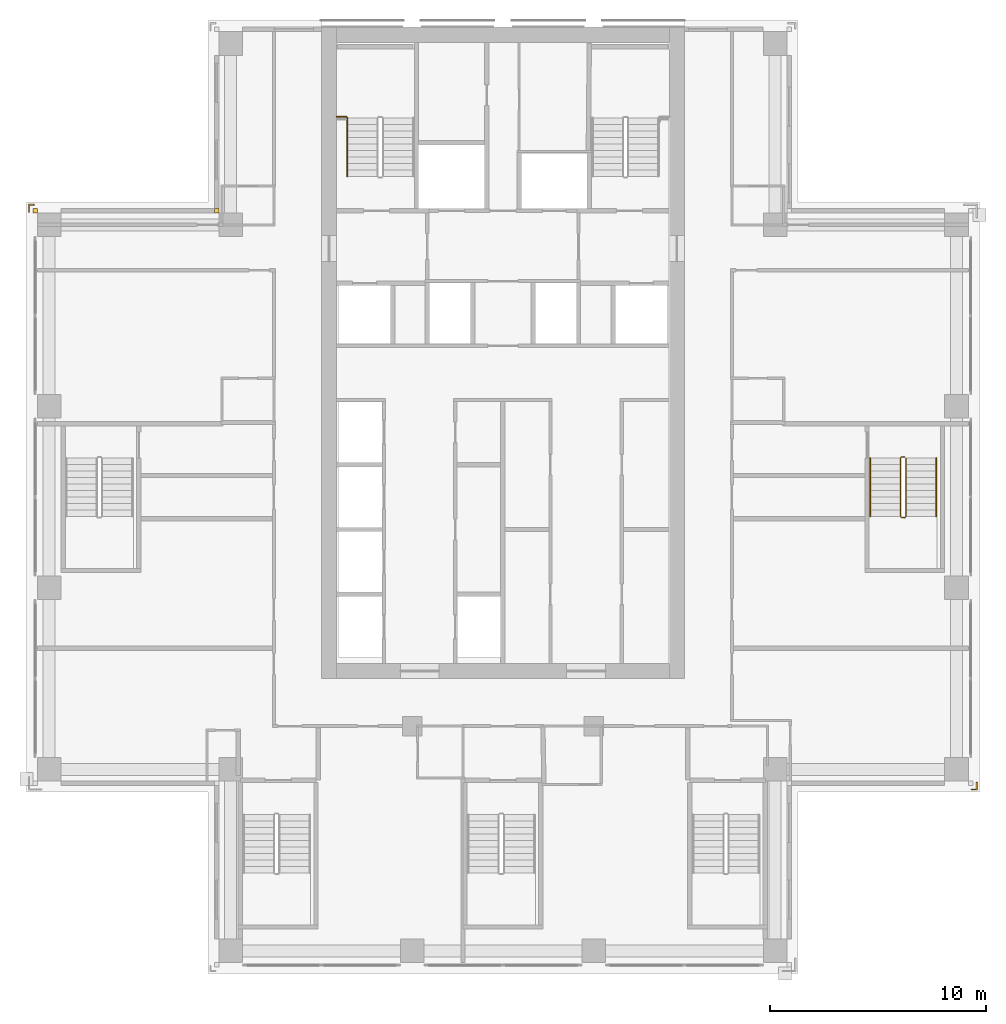
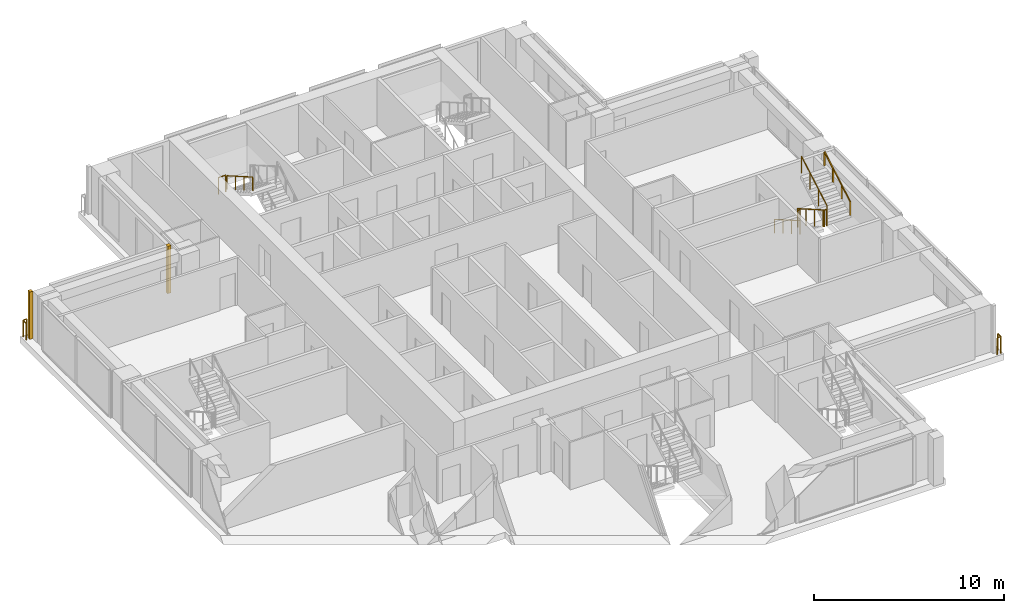
# One storey, part 15 of 16: 7 railings, 2 coverings.
"""IFC4 building model written with IfcOpenShell, lengths in metres."""

from ifc_helpers import new_model, si_unit, direction, frame, origin, origin_2d, place, context, subcontext, project, spatial, polyline, rectangle, outline, extrude, material, type_object, element, save


model = new_model("IFC4")

# Units and contexts
model_context = context("Model", 3, precision=1e-05, world=origin(), true_north=direction((0.0, 1.0)))
body_context = subcontext(model_context, "Body", "Model", "MODEL_VIEW")
ifc_project = project(units=[si_unit("LENGTHUNIT", "METRE"), si_unit("AREAUNIT", "SQUARE_METRE"), si_unit("VOLUMEUNIT", "CUBIC_METRE"), si_unit("PLANEANGLEUNIT", "RADIAN"), si_unit("MASSUNIT", "GRAM", prefix="KILO")], contexts=[model_context])

# Site, building, storey
site_placement = place(None, origin())
site = spatial("IfcSite", under=ifc_project, at=site_placement, CompositionType="ELEMENT")
building_placement = place(site_placement, origin())
building = spatial("IfcBuilding", under=site, at=building_placement, Name="Vermilion Ogive Tower", CompositionType="ELEMENT")
storey_placement = place(building_placement, frame((0.0, 0.0, 136.550048828125)))
storey = spatial("IfcBuildingStorey", under=building, at=storey_placement, Name="L34", CompositionType="ELEMENT", Elevation=136.550048828125)

# Railings
ifc_material_1 = material(Name="Stainless steel", Category="steel")
railing_type_1 = type_object("IfcRailingType", Name="Slab edge guard SG1", PredefinedType="GUARDRAIL", material=ifc_material_1)
railing_1_placement = place(storey_placement, frame((-21.929931640625, 13.199951171875, 0.0)))
element("IfcRailing", 1, at=railing_1_placement, inside=storey, type_object=railing_type_1, Name="L34 slab corner guard", PredefinedType="GUARDRAIL", context=body_context, shape_type="SweptSolid", body=[
    extrude(rectangle(XDim=0.050048828125, YDim=0.050048828125, at=origin_2d()), frame((0.0, 0.0, 1.0751953125), z_axis=(0.0, 1.0, 0.0), x_axis=(-1.0, 0.0, 0.0)), (0.0, 0.0, 1.0), 0.330078125),
    extrude(rectangle(XDim=0.050048828125, YDim=0.050048828125, at=origin_2d()), frame((0.0, 0.330078125, 1.0751953125), z_axis=(1.0, 0.0, 0.0), x_axis=(0.0, 1.0, 0.0)), (0.0, 0.0, 1.0), 0.22998046875),
    extrude(rectangle(XDim=0.050048828125, YDim=0.050048828125, at=origin_2d()), origin(), (0.0, 0.0, 1.0), 1.050048828125),
    extrude(rectangle(XDim=0.050048828125, YDim=0.050048828125, at=origin_2d()), frame((0.0, 0.330078125, 0.0)), (0.0, 0.0, 1.0), 1.050048828125),
    extrude(rectangle(XDim=0.050048828125, YDim=0.050048828125, at=origin_2d()), frame((0.22998046875, 0.330078125, 0.0)), (0.0, 0.0, 1.0), 1.050048828125),
])
railing_2_placement = place(storey_placement, frame((21.929931640625, -13.199951171875, 0.0)))
element("IfcRailing", 2, at=railing_2_placement, inside=storey, type_object=railing_type_1, Name="L34 slab corner guard", PredefinedType="GUARDRAIL", context=body_context, shape_type="SweptSolid", body=[
    extrude(rectangle(XDim=0.050048828125, YDim=0.050048828125, at=origin_2d()), frame((0.0, 0.0, 1.0751953125), z_axis=(0.0, -1.0, 0.0), x_axis=(1.0, 0.0, 0.0)), (0.0, 0.0, 1.0), 0.330078125),
    extrude(rectangle(XDim=0.050048828125, YDim=0.050048828125, at=origin_2d()), frame((0.0, -0.330078125, 1.0751953125), z_axis=(-1.0, 0.0, 0.0), x_axis=(0.0, -1.0, 0.0)), (0.0, 0.0, 1.0), 0.22998046875),
    extrude(rectangle(XDim=0.050048828125, YDim=0.050048828125, at=origin_2d()), origin(), (0.0, 0.0, 1.0), 1.050048828125),
    extrude(rectangle(XDim=0.050048828125, YDim=0.050048828125, at=origin_2d()), frame((0.0, -0.330078125, 0.0)), (0.0, 0.0, 1.0), 1.050048828125),
    extrude(rectangle(XDim=0.050048828125, YDim=0.050048828125, at=origin_2d()), frame((-0.22998046875, -0.330078125, 0.0)), (0.0, 0.0, 1.0), 1.050048828125),
])
ifc_material_2 = material(Name="Steel S355 painted", Category="steel")
railing_type_2 = type_object("IfcRailingType", Name="Stair guard 1100", PredefinedType="GUARDRAIL", material=ifc_material_2)
railing_3_placement = place(storey_placement, frame((18.60009765625, 1.85009765625, 0.0)))
element("IfcRailing", 3, at=railing_3_placement, inside=storey, type_object=railing_type_2, Name="L34 ST8 stair guard 4", PredefinedType="GUARDRAIL", context=body_context, shape_type="SweptSolid", body=[
    extrude(rectangle(XDim=0.048095703125, YDim=0.048095703125, at=origin_2d()), frame((0.0, 0.0, 1.076171875), z_axis=(-1.0, 0.0, 0.0), x_axis=(0.0, -1.0, 0.0)), (0.0, 0.0, 1.0), 0.150146484375),
    extrude(rectangle(XDim=0.048095703125, YDim=0.048095703125, at=origin_2d()), frame((-0.150146484375, 0.0, 1.076171875), z_axis=(-0.268603158521, -0.268603158521, 0.925043072762), x_axis=(0.707106781187, -0.707106781187, 0.0)), (0.0, 0.0, 1.0), 0.186279296875),
    extrude(rectangle(XDim=0.048095703125, YDim=0.048095703125, at=origin_2d()), frame((-0.2001953125, -0.050048828125, 1.24853515625), z_axis=(0.0, -0.866903762492, 0.498475542607), x_axis=(1.0, 0.0, 0.0)), (0.0, 0.0, 1.0), 3.114501953125),
    extrude(rectangle(XDim=0.048095703125, YDim=0.048095703125, at=origin_2d()), frame((-0.2001953125, -2.75, 2.80078125), z_axis=(0.707106781187, -0.707106781187, 0.0), x_axis=(0.707106781187, 0.707106781187, 0.0)), (0.0, 0.0, 1.0), 0.07080078125),
    extrude(rectangle(XDim=0.048095703125, YDim=0.048095703125, at=origin_2d()), frame((-0.150146484375, -2.800048828125, 2.80078125), z_axis=(1.0, 0.0, 0.0), x_axis=(0.0, 1.0, 0.0)), (0.0, 0.0, 1.0), 0.150146484375),
    extrude(rectangle(XDim=0.048095703125, YDim=0.048095703125, at=origin_2d()), frame((0.0, -2.800048828125, 2.80078125), z_axis=(0.267062837333, 0.268371968888, 0.925556009775), x_axis=(-0.708833529934, 0.705375805398, 0.0)), (0.0, 0.0, 1.0), 0.1865234375),
    extrude(rectangle(XDim=0.048095703125, YDim=0.048095703125, at=origin_2d()), frame((0.0498046875, -2.75, 2.9736328125), z_axis=(0.0, 0.866903762492, 0.498475542607), x_axis=(-1.0, 0.0, 0.0)), (0.0, 0.0, 1.0), 3.114501953125),
    extrude(rectangle(XDim=0.0419921875, YDim=0.0419921875, at=origin_2d()), origin(), (0.0, 0.0, 1.0), 1.052001953125),
    extrude(rectangle(XDim=0.0419921875, YDim=0.0419921875, at=origin_2d()), frame((-0.150146484375, 0.0, 0.0)), (0.0, 0.0, 1.0), 1.052001953125),
    extrude(rectangle(XDim=0.0419921875, YDim=0.0419921875, at=origin_2d()), frame((-0.2001953125, -0.050048828125, 0.17236328125)), (0.0, 0.0, 1.0), 1.052001953125),
    extrude(rectangle(XDim=0.0419921875, YDim=0.0419921875, at=origin_2d()), frame((-0.2001953125, -0.949951171875, 0.68994140625)), (0.0, 0.0, 1.0), 1.052001953125),
    extrude(rectangle(XDim=0.0419921875, YDim=0.0419921875, at=origin_2d()), frame((-0.2001953125, -1.85009765625, 1.207275390625)), (0.0, 0.0, 1.0), 1.052001953125),
    extrude(rectangle(XDim=0.0419921875, YDim=0.0419921875, at=origin_2d()), frame((-0.2001953125, -2.75, 1.724853515625)), (0.0, 0.0, 1.0), 1.052001953125),
    extrude(rectangle(XDim=0.0419921875, YDim=0.0419921875, at=origin_2d()), frame((-0.150146484375, -2.800048828125, 1.724853515625)), (0.0, 0.0, 1.0), 1.052001953125),
    extrude(rectangle(XDim=0.0419921875, YDim=0.0419921875, at=origin_2d()), frame((0.0, -2.800048828125, 1.724853515625)), (0.0, 0.0, 1.0), 1.052001953125),
    extrude(rectangle(XDim=0.0419921875, YDim=0.0419921875, at=origin_2d()), frame((0.0498046875, -2.75, 1.8974609375)), (0.0, 0.0, 1.0), 1.052001953125),
    extrude(rectangle(XDim=0.0419921875, YDim=0.0419921875, at=origin_2d()), frame((0.0498046875, -1.85009765625, 2.4150390625)), (0.0, 0.0, 1.0), 1.052001953125),
    extrude(rectangle(XDim=0.0419921875, YDim=0.0419921875, at=origin_2d()), frame((0.0498046875, -0.949951171875, 2.932373046875)), (0.0, 0.0, 1.0), 1.052001953125),
    extrude(rectangle(XDim=0.0419921875, YDim=0.0419921875, at=origin_2d()), frame((0.0498046875, -0.050048828125, 3.449951171875)), (0.0, 0.0, 1.0), 1.052001953125),
])
railing_4_placement = place(storey_placement, frame((-7.699951171875, 17.60009765625, 1.724853515625)))
element("IfcRailing", 4, at=railing_4_placement, inside=storey, type_object=railing_type_2, Name="L34 landing guard", PredefinedType="GUARDRAIL", context=body_context, shape_type="SweptSolid", body=[
    extrude(rectangle(XDim=0.048095703125, YDim=0.048095703125, at=origin_2d()), frame((0.0, 0.0, 1.076171875), z_axis=(1.0, 0.0, 0.0), x_axis=(0.0, 1.0, 0.0)), (0.0, 0.0, 1.0), 0.449951171875),
    extrude(rectangle(XDim=0.0419921875, YDim=0.0419921875, at=origin_2d()), origin(), (0.0, 0.0, 1.0), 1.052001953125),
    extrude(rectangle(XDim=0.0419921875, YDim=0.0419921875, at=origin_2d()), frame((0.449951171875, 0.0, 0.0)), (0.0, 0.0, 1.0), 1.052001953125),
])
ifc_material_3 = material(Name="Stainless steel", Category="steel")
railing_type_3 = type_object("IfcRailingType", Name="Stair handrail 900", PredefinedType="HANDRAIL", material=ifc_material_3)
for number, where, name in (
    (5, (-7.199951171875, 17.550048828125, 1.8974609375), "L34 ST1 stair handrail 2"),
    (6, (17.0, 1.800048828125, 0.17236328125), "L34 ST8 stair handrail 1"),
):
    element("IfcRailing", number, at=place(storey_placement, frame(where)), inside=storey, type_object=railing_type_3, Name=name, PredefinedType="HANDRAIL", context=body_context, shape_type="SweptSolid", body=[
        extrude(rectangle(XDim=0.048095703125, YDim=0.048095703125, at=origin_2d()), frame((0.0, 0.0, 0.8759765625), z_axis=(0.0, -0.866903762492, 0.498475542607), x_axis=(1.0, 0.0, 0.0)), (0.0, 0.0, 1.0), 3.114501953125),
        extrude(rectangle(XDim=0.0419921875, YDim=0.0419921875, at=origin_2d()), origin(), (0.0, 0.0, 1.0), 0.851806640625),
        extrude(rectangle(XDim=0.0419921875, YDim=0.0419921875, at=origin_2d()), frame((0.0, -0.89990234375, 0.517578125)), (0.0, 0.0, 1.0), 0.851806640625),
        extrude(rectangle(XDim=0.0419921875, YDim=0.0419921875, at=origin_2d()), frame((0.0, -1.800048828125, 1.034912109375)), (0.0, 0.0, 1.0), 0.851806640625),
        extrude(rectangle(XDim=0.0419921875, YDim=0.0419921875, at=origin_2d()), frame((0.0, -2.699951171875, 1.552490234375)), (0.0, 0.0, 1.0), 0.851806640625),
    ])
railing_5_placement = place(storey_placement, frame((20.050048828125, -0.89990234375, 1.8974609375)))
element("IfcRailing", 7, at=railing_5_placement, inside=storey, type_object=railing_type_3, Name="L34 ST8 stair handrail 2", PredefinedType="HANDRAIL", context=body_context, shape_type="SweptSolid", body=[
    extrude(rectangle(XDim=0.048095703125, YDim=0.048095703125, at=origin_2d()), frame((0.0, 0.0, 0.8759765625), z_axis=(0.0, 0.866903762492, 0.498475542607), x_axis=(-1.0, 0.0, 0.0)), (0.0, 0.0, 1.0), 3.114501953125),
    extrude(rectangle(XDim=0.0419921875, YDim=0.0419921875, at=origin_2d()), origin(), (0.0, 0.0, 1.0), 0.851806640625),
    extrude(rectangle(XDim=0.0419921875, YDim=0.0419921875, at=origin_2d()), frame((0.0, 0.89990234375, 0.517578125)), (0.0, 0.0, 1.0), 0.851806640625),
    extrude(rectangle(XDim=0.0419921875, YDim=0.0419921875, at=origin_2d()), frame((0.0, 1.800048828125, 1.034912109375)), (0.0, 0.0, 1.0), 0.851806640625),
    extrude(rectangle(XDim=0.0419921875, YDim=0.0419921875, at=origin_2d()), frame((0.0, 2.699951171875, 1.552490234375)), (0.0, 0.0, 1.0), 0.851806640625),
])

# Coverings
ifc_material_4 = material(Name="Stone cladding", Category="masonry")
covering_type = type_object("IfcCoveringType", Name="Stone pier", PredefinedType="CLADDING", material=ifc_material_4)
covering_1_placement = place(storey_placement, origin())
element("IfcCovering", 8, at=covering_1_placement, inside=storey, type_object=covering_type, Name="Stone corner pier X5E1", PredefinedType="CLADDING", context=body_context, shape_type="SweptSolid", body=[
    extrude(outline(polyline([(-13.14990234375, 13.14990234375), (-13.35009765625, 13.14990234375), (-13.35009765625, 13.35009765625), (-13.14990234375, 13.35009765625), (-13.14990234375, 13.14990234375)])), origin(), (0.0, 0.0, 1.0), 3.050048828125),
])
covering_2_placement = place(storey_placement, origin())
element("IfcCovering", 9, at=covering_2_placement, inside=storey, type_object=covering_type, Name="Stone corner pier X6E1", PredefinedType="CLADDING", context=body_context, shape_type="SweptSolid", body=[
    extrude(outline(polyline([(-21.550048828125, 13.35009765625), (-21.550048828125, 13.14990234375), (-21.75, 13.14990234375), (-21.75, 13.35009765625), (-21.550048828125, 13.35009765625)])), origin(), (0.0, 0.0, 1.0), 3.050048828125),
])

save(model, "model.ifc")
